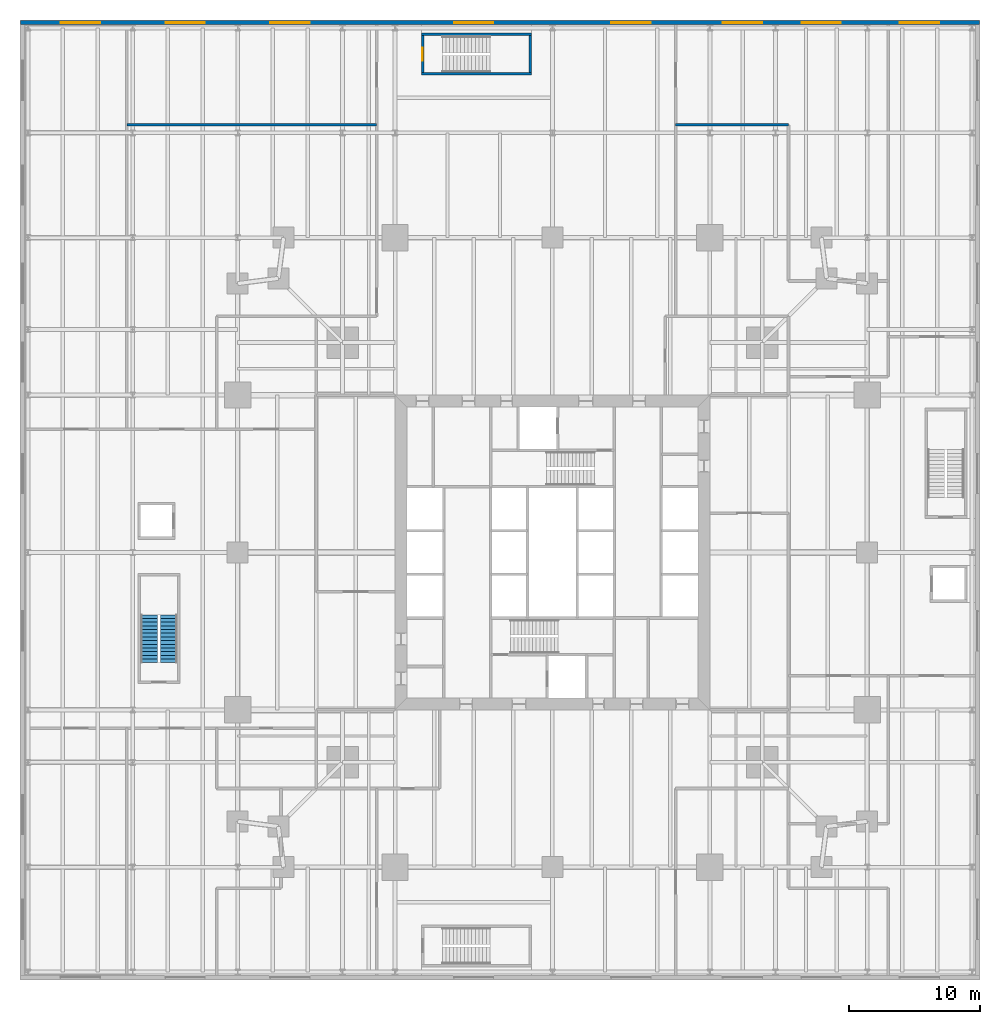
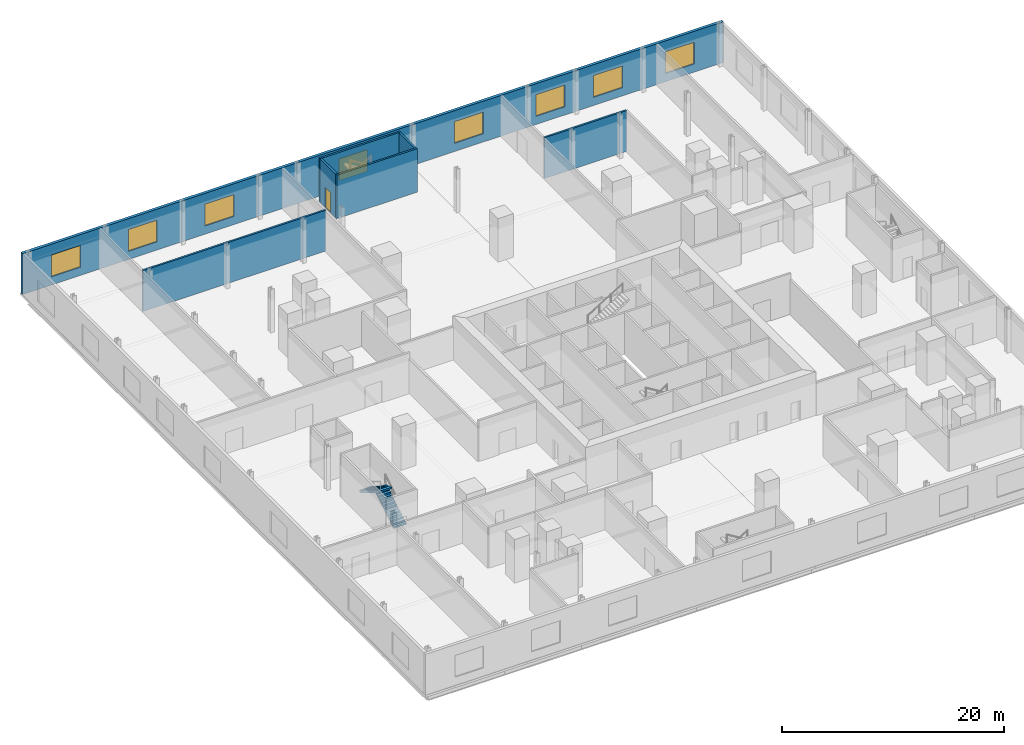
# One storey, part 13 of 16: 8 windows, 7 walls, 2 stair flights, 1 door, 9 openings, 1 element without a shape of its own.
"""IFC4 building model written with IfcOpenShell, lengths in metres."""

from ifc_helpers import new_model, si_unit, direction, frame, frame_2d, origin, place, context, subcontext, project, spatial, polyline, rectangle, outline, extrude, material, layer, layer_set, type_object, element, fill, aggregate, save


model = new_model("IFC4")

# Units and contexts
model_context = context("Model", 3, precision=1e-05, world=origin(), true_north=direction((0.0, 1.0)))
body_context = subcontext(model_context, "Body", "Model", "MODEL_VIEW")
ifc_project = project(units=[si_unit("LENGTHUNIT", "METRE"), si_unit("AREAUNIT", "SQUARE_METRE"), si_unit("VOLUMEUNIT", "CUBIC_METRE"), si_unit("PLANEANGLEUNIT", "RADIAN"), si_unit("MASSUNIT", "GRAM", prefix="KILO")], contexts=[model_context])

# Site, building, storey
site_placement = place(None, origin())
site = spatial("IfcSite", under=ifc_project, at=site_placement, CompositionType="ELEMENT")
building_placement = place(site_placement, origin())
building = spatial("IfcBuilding", under=site, at=building_placement, Name="Fenwick Lantern Interchange", CompositionType="ELEMENT")
storey_placement = place(building_placement, frame((0.0, 0.0, 16.60009765625)))
storey = spatial("IfcBuildingStorey", under=building, at=storey_placement, Name="L03", CompositionType="ELEMENT", Elevation=16.60009765625)

# Wall, openings, windows
ifc_material_1 = material(Name="Limestone ASTM C568 Classification II", Category="masonry")
ifc_layer_1 = layer(ifc_material_1, 0.074951171875)
ifc_material_2 = material(Name="Mineral wool insulation")
ifc_layer_2 = layer(ifc_material_2, 0.125)
ifc_material_3 = material(Name="Cold-formed galvanised steel studs", Category="steel")
ifc_layer_3 = layer(ifc_material_3, 0.10009765625)
ifc_layer_set_1 = layer_set([ifc_layer_1, ifc_layer_2, ifc_layer_3], Name="Limestone ASTM C568 Classification II")
wall_type_1 = type_object("IfcWallType", Name="LIMESTONE RAINSCREEN WALL 300", PredefinedType="SOLIDWALL", material=ifc_layer_set_1)
wall_1_placement = place(storey_placement, frame((57.550048828125, 65.39990234375, 0.0), z_axis=(0.0, 0.0, 1.0), x_axis=(-1.0, 0.0, 0.0)))
wall_1 = element("IfcWall", 1, at=wall_1_placement, inside=storey, type_object=wall_type_1, Name="L03/EW/N", PredefinedType="SOLIDWALL", context=body_context, shape_type="SweptSolid", body=[
    extrude(rectangle(XDim=73.10009765625, YDim=0.300048828125, at=frame_2d((36.550048828125, 0.0))), origin(), (0.0, 0.0, 1.0), 4.5),
])
opening_1_placement = place(wall_1_placement, frame((67.050048828125, 0.0, 0.89990234375)))
opening_1 = element("IfcOpeningElement", 2, at=opening_1_placement, cuts=wall_1, Name="Opening W1", PredefinedType="OPENING", context=body_context, shape_type="SweptSolid", body=[
    extrude(rectangle(XDim=3.0, YDim=2.39990234375, at=frame_2d((1.5, 1.199951171875))), frame((0.0, 0.159912109375, 0.0), z_axis=(0.0, -1.0, 0.0), x_axis=(1.0, 0.0, 0.0)), (0.0, 0.0, 1.0), 0.320068359375),
])
opening_2_placement = place(wall_1_placement, frame((59.050048828125, 0.0, 0.89990234375)))
opening_2 = element("IfcOpeningElement", 3, at=opening_2_placement, cuts=wall_1, Name="Opening W1", PredefinedType="OPENING", context=body_context, shape_type="SweptSolid", body=[
    extrude(rectangle(XDim=3.0, YDim=2.39990234375, at=frame_2d((1.5, 1.199951171875))), frame((0.0, 0.159912109375, 0.0), z_axis=(0.0, -1.0, 0.0), x_axis=(1.0, 0.0, 0.0)), (0.0, 0.0, 1.0), 0.320068359375),
])
opening_3_placement = place(wall_1_placement, frame((51.050048828125, 0.0, 0.89990234375)))
opening_3 = element("IfcOpeningElement", 4, at=opening_3_placement, cuts=wall_1, Name="Opening W1", PredefinedType="OPENING", context=body_context, shape_type="SweptSolid", body=[
    extrude(rectangle(XDim=3.0, YDim=2.39990234375, at=frame_2d((1.5, 1.199951171875))), frame((0.0, 0.159912109375, 0.0), z_axis=(0.0, -1.0, 0.0), x_axis=(1.0, 0.0, 0.0)), (0.0, 0.0, 1.0), 0.320068359375),
])
opening_4_placement = place(wall_1_placement, frame((37.050048828125, 0.0, 0.89990234375)))
opening_4 = element("IfcOpeningElement", 5, at=opening_4_placement, cuts=wall_1, Name="Opening W1", PredefinedType="OPENING", context=body_context, shape_type="SweptSolid", body=[
    extrude(rectangle(XDim=3.0, YDim=2.39990234375, at=frame_2d((1.5, 1.199951171875))), frame((0.0, 0.159912109375, 0.0), z_axis=(0.0, -1.0, 0.0), x_axis=(1.0, 0.0, 0.0)), (0.0, 0.0, 1.0), 0.320068359375),
])
opening_5_placement = place(wall_1_placement, frame((25.050048828125, 0.0, 0.89990234375)))
opening_5 = element("IfcOpeningElement", 6, at=opening_5_placement, cuts=wall_1, Name="Opening W1", PredefinedType="OPENING", context=body_context, shape_type="SweptSolid", body=[
    extrude(rectangle(XDim=3.0, YDim=2.39990234375, at=frame_2d((1.5, 1.199951171875))), frame((0.0, 0.159912109375, 0.0), z_axis=(0.0, -1.0, 0.0), x_axis=(1.0, 0.0, 0.0)), (0.0, 0.0, 1.0), 0.320068359375),
])
opening_6_placement = place(wall_1_placement, frame((16.550048828125, 0.0, 0.89990234375)))
opening_6 = element("IfcOpeningElement", 7, at=opening_6_placement, cuts=wall_1, Name="Opening W1", PredefinedType="OPENING", context=body_context, shape_type="SweptSolid", body=[
    extrude(rectangle(XDim=3.0, YDim=2.39990234375, at=frame_2d((1.5, 1.199951171875))), frame((0.0, 0.159912109375, 0.0), z_axis=(0.0, -1.0, 0.0), x_axis=(1.0, 0.0, 0.0)), (0.0, 0.0, 1.0), 0.320068359375),
])
opening_7_placement = place(wall_1_placement, frame((10.550048828125, 0.0, 0.89990234375)))
opening_7 = element("IfcOpeningElement", 8, at=opening_7_placement, cuts=wall_1, Name="Opening W1", PredefinedType="OPENING", context=body_context, shape_type="SweptSolid", body=[
    extrude(rectangle(XDim=3.0, YDim=2.39990234375, at=frame_2d((1.5, 1.199951171875))), frame((0.0, 0.159912109375, 0.0), z_axis=(0.0, -1.0, 0.0), x_axis=(1.0, 0.0, 0.0)), (0.0, 0.0, 1.0), 0.320068359375),
])
opening_8_placement = place(wall_1_placement, frame((3.050048828125, 0.0, 0.89990234375)))
opening_8 = element("IfcOpeningElement", 9, at=opening_8_placement, cuts=wall_1, Name="Opening W1", PredefinedType="OPENING", context=body_context, shape_type="SweptSolid", body=[
    extrude(rectangle(XDim=3.0, YDim=2.39990234375, at=frame_2d((1.5, 1.199951171875))), frame((0.0, 0.159912109375, 0.0), z_axis=(0.0, -1.0, 0.0), x_axis=(1.0, 0.0, 0.0)), (0.0, 0.0, 1.0), 0.320068359375),
])
ifc_material_4 = material(Name="Aluminium window, clear glass", Category="aluminium")
window_type = type_object("IfcWindowType", Name="PODIUM WINDOW 3000 X 2400", PartitioningType="SINGLE_PANEL", PredefinedType="WINDOW", material=ifc_material_4)
window_1_placement = place(opening_1_placement, origin())
window_1 = element("IfcWindow", 10, at=window_1_placement, inside=storey, type_object=window_type, Name="Podium window", OverallHeight=2.39990234375, OverallWidth=3.0, PartitioningType="SINGLE_PANEL", PredefinedType="WINDOW", context=body_context, shape_type="SweptSolid", body=[
    extrude(rectangle(XDim=3.0, YDim=2.39990234375, at=frame_2d((1.5, 1.199951171875))), frame((0.0, 0.030029296875, 0.0), z_axis=(0.0, -1.0, 0.0), x_axis=(1.0, 0.0, 0.0)), (0.0, 0.0, 1.0), 0.06005859375),
])
fill(opening_1, window_1)
window_2_placement = place(opening_2_placement, origin())
window_2 = element("IfcWindow", 11, at=window_2_placement, inside=storey, type_object=window_type, Name="Podium window", OverallHeight=2.39990234375, OverallWidth=3.0, PartitioningType="SINGLE_PANEL", PredefinedType="WINDOW", context=body_context, shape_type="SweptSolid", body=[
    extrude(rectangle(XDim=3.0, YDim=2.39990234375, at=frame_2d((1.5, 1.199951171875))), frame((0.0, 0.030029296875, 0.0), z_axis=(0.0, -1.0, 0.0), x_axis=(1.0, 0.0, 0.0)), (0.0, 0.0, 1.0), 0.06005859375),
])
fill(opening_2, window_2)
window_3_placement = place(opening_3_placement, origin())
window_3 = element("IfcWindow", 12, at=window_3_placement, inside=storey, type_object=window_type, Name="Podium window", OverallHeight=2.39990234375, OverallWidth=3.0, PartitioningType="SINGLE_PANEL", PredefinedType="WINDOW", context=body_context, shape_type="SweptSolid", body=[
    extrude(rectangle(XDim=3.0, YDim=2.39990234375, at=frame_2d((1.5, 1.199951171875))), frame((0.0, 0.030029296875, 0.0), z_axis=(0.0, -1.0, 0.0), x_axis=(1.0, 0.0, 0.0)), (0.0, 0.0, 1.0), 0.06005859375),
])
fill(opening_3, window_3)
window_4_placement = place(opening_4_placement, origin())
window_4 = element("IfcWindow", 13, at=window_4_placement, inside=storey, type_object=window_type, Name="Podium window", OverallHeight=2.39990234375, OverallWidth=3.0, PartitioningType="SINGLE_PANEL", PredefinedType="WINDOW", context=body_context, shape_type="SweptSolid", body=[
    extrude(rectangle(XDim=3.0, YDim=2.39990234375, at=frame_2d((1.5, 1.199951171875))), frame((0.0, 0.030029296875, 0.0), z_axis=(0.0, -1.0, 0.0), x_axis=(1.0, 0.0, 0.0)), (0.0, 0.0, 1.0), 0.06005859375),
])
fill(opening_4, window_4)
window_5_placement = place(opening_5_placement, origin())
window_5 = element("IfcWindow", 14, at=window_5_placement, inside=storey, type_object=window_type, Name="Podium window", OverallHeight=2.39990234375, OverallWidth=3.0, PartitioningType="SINGLE_PANEL", PredefinedType="WINDOW", context=body_context, shape_type="SweptSolid", body=[
    extrude(rectangle(XDim=3.0, YDim=2.39990234375, at=frame_2d((1.5, 1.199951171875))), frame((0.0, 0.030029296875, 0.0), z_axis=(0.0, -1.0, 0.0), x_axis=(1.0, 0.0, 0.0)), (0.0, 0.0, 1.0), 0.06005859375),
])
fill(opening_5, window_5)
window_6_placement = place(opening_6_placement, origin())
window_6 = element("IfcWindow", 15, at=window_6_placement, inside=storey, type_object=window_type, Name="Podium window", OverallHeight=2.39990234375, OverallWidth=3.0, PartitioningType="SINGLE_PANEL", PredefinedType="WINDOW", context=body_context, shape_type="SweptSolid", body=[
    extrude(rectangle(XDim=3.0, YDim=2.39990234375, at=frame_2d((1.5, 1.199951171875))), frame((0.0, 0.030029296875, 0.0), z_axis=(0.0, -1.0, 0.0), x_axis=(1.0, 0.0, 0.0)), (0.0, 0.0, 1.0), 0.06005859375),
])
fill(opening_6, window_6)
window_7_placement = place(opening_7_placement, origin())
window_7 = element("IfcWindow", 16, at=window_7_placement, inside=storey, type_object=window_type, Name="Podium window", OverallHeight=2.39990234375, OverallWidth=3.0, PartitioningType="SINGLE_PANEL", PredefinedType="WINDOW", context=body_context, shape_type="SweptSolid", body=[
    extrude(rectangle(XDim=3.0, YDim=2.39990234375, at=frame_2d((1.5, 1.199951171875))), frame((0.0, 0.030029296875, 0.0), z_axis=(0.0, -1.0, 0.0), x_axis=(1.0, 0.0, 0.0)), (0.0, 0.0, 1.0), 0.06005859375),
])
fill(opening_7, window_7)
window_8_placement = place(opening_8_placement, origin())
window_8 = element("IfcWindow", 17, at=window_8_placement, inside=storey, type_object=window_type, Name="Podium window", OverallHeight=2.39990234375, OverallWidth=3.0, PartitioningType="SINGLE_PANEL", PredefinedType="WINDOW", context=body_context, shape_type="SweptSolid", body=[
    extrude(rectangle(XDim=3.0, YDim=2.39990234375, at=frame_2d((1.5, 1.199951171875))), frame((0.0, 0.030029296875, 0.0), z_axis=(0.0, -1.0, 0.0), x_axis=(1.0, 0.0, 0.0)), (0.0, 0.0, 1.0), 0.06005859375),
])
fill(opening_8, window_8)

# Walls
ifc_material_5 = material(Name="Gypsum board on steel studs, 1 hour", Category="steel")
ifc_layer_4 = layer(ifc_material_5, 0.199951171875)
ifc_layer_set_2 = layer_set([ifc_layer_4], Name="ROOM WALL 200")
wall_type_2 = type_object("IfcWallType", Name="ROOM WALL 200", PredefinedType="PARTITIONING", material=ifc_layer_set_2)
wall_2_placement = place(storey_placement, frame((-7.449951171875, 57.60009765625, 0.0), z_axis=(0.0, 0.0, 1.0), x_axis=(1.0, 0.0, 0.0)))
element("IfcWall", 18, at=wall_2_placement, inside=storey, type_object=wall_type_2, Name="L03/W/POD/Y57.6-1", PredefinedType="PARTITIONING", context=body_context, shape_type="SweptSolid", body=[
    extrude(rectangle(XDim=19.050048828125, YDim=0.199951171875, at=frame_2d((9.52490234375, 0.0))), origin(), (0.0, 0.0, 1.0), 4.5),
])
wall_3_placement = place(storey_placement, frame((34.39990234375, 57.60009765625, 0.0), z_axis=(0.0, 0.0, 1.0), x_axis=(1.0, 0.0, 0.0)))
element("IfcWall", 19, at=wall_3_placement, inside=storey, type_object=wall_type_2, Name="L03/W/POD/Y57.6-2", PredefinedType="PARTITIONING", context=body_context, shape_type="SweptSolid", body=[
    extrude(rectangle(XDim=8.60009765625, YDim=0.199951171875, at=frame_2d((4.300048828125, 0.0))), origin(), (0.0, 0.0, 1.0), 4.5),
])
ifc_material_6 = material(Name="Reinforced concrete masonry ASTM C90 Grade N", Category="masonry")
ifc_layer_5 = layer(ifc_material_6, 0.199951171875)
ifc_layer_set_3 = layer_set([ifc_layer_5], Name="Reinforced concrete masonry ASTM C90 Grade N")
wall_type_3 = type_object("IfcWallType", Name="STAIR ENCLOSURE 200", PredefinedType="SOLIDWALL", material=ifc_layer_set_3)
wall_4_placement = place(storey_placement, frame((15.0, 61.5, 0.0), z_axis=(0.0, 0.0, 1.0), x_axis=(1.0, 0.0, 0.0)))
element("IfcWall", 20, at=wall_4_placement, inside=storey, type_object=wall_type_3, Name="L03/W/PS1/S", PredefinedType="SOLIDWALL", context=body_context, shape_type="SweptSolid", body=[
    extrude(rectangle(XDim=8.39990234375, YDim=0.199951171875, at=frame_2d((4.199951171875, 0.0))), origin(), (0.0, 0.0, 1.0), 4.7998046875),
])
wall_5_placement = place(storey_placement, frame((23.300048828125, 61.60009765625, 0.0), z_axis=(0.0, 0.0, 1.0), x_axis=(0.0, 1.0, 0.0)))
element("IfcWall", 21, at=wall_5_placement, inside=storey, type_object=wall_type_3, Name="L03/W/PS1/E", PredefinedType="SOLIDWALL", context=body_context, shape_type="SweptSolid", body=[
    extrude(rectangle(XDim=2.7998046875, YDim=0.199951171875, at=frame_2d((1.39990234375, 0.0))), origin(), (0.0, 0.0, 1.0), 4.7998046875),
])
wall_6_placement = place(storey_placement, frame((23.39990234375, 64.5, 0.0), z_axis=(0.0, 0.0, 1.0), x_axis=(-1.0, 0.0, 0.0)))
element("IfcWall", 22, at=wall_6_placement, inside=storey, type_object=wall_type_3, Name="L03/W/PS1/N", PredefinedType="SOLIDWALL", context=body_context, shape_type="SweptSolid", body=[
    extrude(rectangle(XDim=8.39990234375, YDim=0.199951171875, at=frame_2d((4.199951171875, 0.0))), origin(), (0.0, 0.0, 1.0), 4.7998046875),
])

# Wall, opening, door
wall_7_placement = place(storey_placement, frame((15.10009765625, 64.39990234375, 0.0), z_axis=(0.0, 0.0, 1.0), x_axis=(0.0, -1.0, 0.0)))
wall_7 = element("IfcWall", 23, at=wall_7_placement, inside=storey, type_object=wall_type_3, Name="L03/W/PS1/W", PredefinedType="SOLIDWALL", context=body_context, shape_type="SweptSolid", body=[
    extrude(rectangle(XDim=2.7998046875, YDim=0.199951171875, at=frame_2d((1.39990234375, 0.0))), origin(), (0.0, 0.0, 1.0), 4.7998046875),
])
opening_9_placement = place(wall_7_placement, frame((0.89990234375, 0.0, 0.0)))
opening_9 = element("IfcOpeningElement", 24, at=opening_9_placement, cuts=wall_7, Name="Opening L03-D017", PredefinedType="OPENING", context=body_context, shape_type="SweptSolid", body=[
    extrude(rectangle(XDim=1.0, YDim=2.199951171875, at=frame_2d((0.5, 1.10009765625))), frame((0.0, 0.10986328125, 0.0), z_axis=(0.0, -1.0, 0.0), x_axis=(1.0, 0.0, 0.0)), (0.0, 0.0, 1.0), 0.219970703125),
])
ifc_material_7 = material(Name="Steel door and frame", Category="steel")
door_type = type_object("IfcDoorType", Name="STAIR DOOR 1000 X 2200", OperationType="SINGLE_SWING_LEFT", PredefinedType="DOOR", material=ifc_material_7)
door_placement = place(opening_9_placement, origin())
door = element("IfcDoor", 25, at=door_placement, inside=storey, type_object=door_type, Name="Stair door", OperationType="SINGLE_SWING_LEFT", OverallHeight=2.199951171875, OverallWidth=1.0, PredefinedType="DOOR", context=body_context, shape_type="SweptSolid", body=[
    extrude(rectangle(XDim=1.0, YDim=2.199951171875, at=frame_2d((0.5, 1.10009765625))), frame((0.0, 0.02490234375, 0.0), z_axis=(0.0, -1.0, 0.0), x_axis=(1.0, 0.0, 0.0)), (0.0, 0.0, 1.0), 0.050048828125),
])
fill(opening_9, door)

# Stair, stair flights
ifc_material_8 = material(Name="Precast concrete f'c 35 MPa", Category="concrete")
stair_type = type_object("IfcStairType", Name="EXIT STAIR 1300", PredefinedType="HALF_TURN_STAIR", material=ifc_material_8)
stair_placement = place(storey_placement, origin())
stair = element("IfcStair", 26, at=stair_placement, inside=storey, type_object=stair_type, Name="Exit stair PS3", PredefinedType="HALF_TURN_STAIR")
stair_flight_type = type_object("IfcStairFlightType", Name="STAIR FLIGHT 1300", PredefinedType="STRAIGHT", material=ifc_material_8)
stair_flight_1_placement = place(storey_placement, frame((-4.25, 16.60009765625, 0.0), z_axis=(0.0, 0.0, 1.0), x_axis=(0.0, 1.0, 0.0)))
stair_flight_1 = element("IfcStairFlight", 27, at=stair_flight_1_placement, type_object=stair_flight_type, Name="PS3 flight 1", NumberOfRisers=14, NumberOfTreads=13, PredefinedType="STRAIGHT", RiserHeight=0.171428571, TreadLength=0.28, context=body_context, shape_type="SweptSolid", body=[
    extrude(outline(polyline([(0.0, 0.0), (0.0, 0.17138671875), (0.280029296875, 0.17138671875), (0.280029296875, 0.3427734375), (0.56005859375, 0.3427734375), (0.56005859375, 0.514404296875), (0.840087890625, 0.514404296875), (0.840087890625, 0.685791015625), (1.1201171875, 0.685791015625), (1.1201171875, 0.857177734375), (1.39990234375, 0.857177734375), (1.39990234375, 1.028564453125), (1.679931640625, 1.028564453125), (1.679931640625, 1.199951171875), (1.9599609375, 1.199951171875), (1.9599609375, 1.371337890625), (2.239990234375, 1.371337890625), (2.239990234375, 1.54296875), (2.52001953125, 1.54296875), (2.52001953125, 1.71435546875), (2.800048828125, 1.71435546875), (2.800048828125, 1.8857421875), (3.080078125, 1.8857421875), (3.080078125, 2.05712890625), (3.360107421875, 2.05712890625), (3.360107421875, 2.228515625), (3.639892578125, 2.228515625), (3.639892578125, 2.39990234375), (3.639892578125, 2.052734375), (0.287109375, 0.0), (0.0, 0.0)])), frame((0.0, 0.64990234375, 0.0), z_axis=(0.0, -1.0, 0.0), x_axis=(1.0, 0.0, 0.0)), (0.0, 0.0, 1.0), 1.300048828125),
])
stair_flight_2_placement = place(storey_placement, frame((-5.75, 20.239990234375, 2.39990234375), z_axis=(0.0, 0.0, 1.0), x_axis=(0.0, -1.0, 0.0)))
stair_flight_2 = element("IfcStairFlight", 28, at=stair_flight_2_placement, type_object=stair_flight_type, Name="PS3 flight 2", NumberOfRisers=14, NumberOfTreads=13, PredefinedType="STRAIGHT", RiserHeight=0.171428571, TreadLength=0.28, context=body_context, shape_type="SweptSolid", body=[
    extrude(outline(polyline([(0.0, 0.0), (0.0, 0.17138671875), (0.280029296875, 0.17138671875), (0.280029296875, 0.3427734375), (0.56005859375, 0.3427734375), (0.56005859375, 0.514404296875), (0.840087890625, 0.514404296875), (0.840087890625, 0.685791015625), (1.1201171875, 0.685791015625), (1.1201171875, 0.857177734375), (1.39990234375, 0.857177734375), (1.39990234375, 1.028564453125), (1.679931640625, 1.028564453125), (1.679931640625, 1.199951171875), (1.9599609375, 1.199951171875), (1.9599609375, 1.371337890625), (2.239990234375, 1.371337890625), (2.239990234375, 1.54296875), (2.52001953125, 1.54296875), (2.52001953125, 1.71435546875), (2.800048828125, 1.71435546875), (2.800048828125, 1.8857421875), (3.080078125, 1.8857421875), (3.080078125, 2.05712890625), (3.360107421875, 2.05712890625), (3.360107421875, 2.228515625), (3.639892578125, 2.228515625), (3.639892578125, 2.39990234375), (3.639892578125, 2.052734375), (0.287109375, 0.0), (0.0, 0.0)])), frame((0.0, 0.64990234375, 0.0), z_axis=(0.0, -1.0, 0.0), x_axis=(1.0, 0.0, 0.0)), (0.0, 0.0, 1.0), 1.300048828125),
])
aggregate(stair, [stair_flight_1, stair_flight_2])

save(model, "model.ifc")
